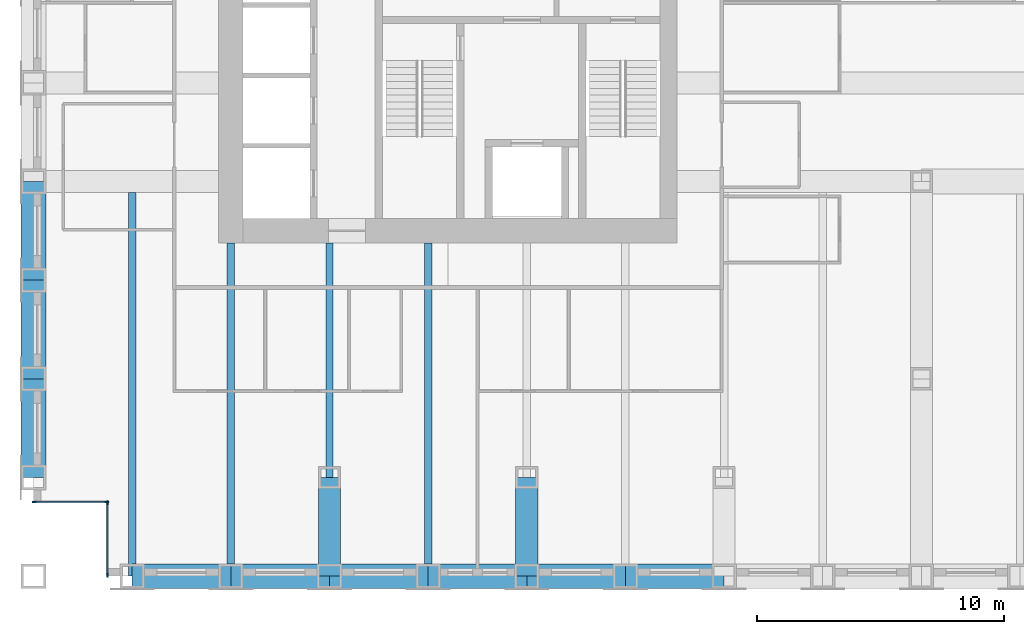
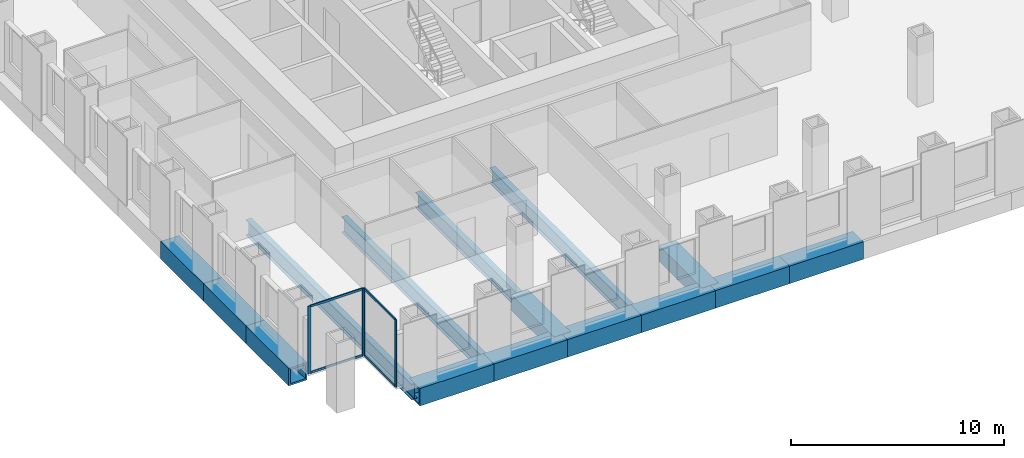
# One storey, part 2 of 16: 15 beams, 8 members, 2 elements without a shape of their own.
"""IFC4 building model written with IfcOpenShell, lengths in metres."""

import ifcopenshell
import ifcopenshell.guid

model = None  # the IFC model being written
_history = None  # IfcOwnerHistory: only IFC2X3 demands one
_inside = {}  # id of a spatial element -> (the spatial element, [elements in it])
_under = {}  # id of a project, library or spatial element -> (it, [spatial elements below it])
_declared = {}  # id of a project -> (the project, [libraries it declares])
_typed = {}  # id of a type object -> (the type object, [elements of that type])
_made_of = {}  # id of a material, layer set ... -> (it, [elements and type objects made of it])


def new_model(schema):
    """Start an empty IFC model of exactly this schema.

    Asked for "IFC4X3", IfcOpenShell would pick the latest addendum, in which some entities
    have other attributes; the version numbers below select the first issue.
    IFC2X3 requires an IfcOwnerHistory on every rooted entity: one is made here for all.
    """
    global model, _history
    if schema == "IFC4X3":
        model = ifcopenshell.file(schema_version=(4, 3, 0, 0))
    else:
        model = ifcopenshell.file(schema=schema)
    _inside.clear()
    _under.clear()
    _declared.clear()
    _typed.clear()
    _made_of.clear()
    _history = None
    if model.schema == "IFC2X3":
        org = make("IfcOrganization", Name="unknown")
        user = make(
            "IfcPersonAndOrganization",
            ThePerson=make("IfcPerson", FamilyName="unknown"),
            TheOrganization=org,
        )
        app = make(
            "IfcApplication",
            ApplicationDeveloper=org,
            Version="unknown",
            ApplicationFullName="unknown",
            ApplicationIdentifier="unknown",
        )
        _history = make(
            "IfcOwnerHistory",
            OwningUser=user,
            OwningApplication=app,
            ChangeAction="ADDED",
            CreationDate=0,
        )
    return model


def make(cls, **values):
    """One entity of the class cls with the attributes given. An attribute that is None is left unset."""
    return model.create_entity(
        cls, **{name: value for name, value in values.items() if value is not None}
    )


def rooted(cls, **values):
    """An entity with a GlobalId (a new one), such as an element, a storey or a relation."""
    return make(cls, GlobalId=ifcopenshell.guid.new(), OwnerHistory=_history, **values)


def si_unit(unit_type, name, prefix=None):
    """IfcSIUnit, for example si_unit("LENGTHUNIT", "METRE", prefix="MILLI")."""
    return make("IfcSIUnit", UnitType=unit_type, Prefix=prefix, Name=name)


def assignment(units):
    """IfcUnitAssignment: the units of a project."""
    return None if units is None else make("IfcUnitAssignment", Units=units)


def point(xyz):
    """IfcCartesianPoint."""
    return None if xyz is None else make("IfcCartesianPoint", Coordinates=xyz)


def direction(xyz):
    """IfcDirection."""
    return None if xyz is None else make("IfcDirection", DirectionRatios=xyz)


def frame(location, z_axis=None, x_axis=None):
    """IfcAxis2Placement3D, a coordinate frame: its origin and axes. An axis left out is left unset."""
    return make(
        "IfcAxis2Placement3D",
        Location=point(location),
        Axis=direction(z_axis),
        RefDirection=direction(x_axis),
    )


def frame_2d(location, x_axis=None):
    """IfcAxis2Placement2D, a coordinate frame in the plane: its origin and x axis."""
    return make(
        "IfcAxis2Placement2D", Location=point(location), RefDirection=direction(x_axis)
    )


def origin():
    """The frame at (0, 0, 0) with its axes left unset."""
    return frame((0.0, 0.0, 0.0))


def origin_2d():
    """The frame at (0, 0) in the plane with its x axis left unset."""
    return frame_2d((0.0, 0.0))


def place(relative_to, where):
    """IfcLocalPlacement: puts the frame where relative to a parent placement (None: the world)."""
    return make(
        "IfcLocalPlacement", PlacementRelTo=relative_to, RelativePlacement=where
    )


def context(
    kind, dimensions, precision=None, world=None, true_north=None, identifier=None
):
    """IfcGeometricRepresentationContext, for example the 3D "Model" context."""
    return make(
        "IfcGeometricRepresentationContext",
        ContextIdentifier=identifier,
        ContextType=kind,
        CoordinateSpaceDimension=dimensions,
        Precision=precision,
        WorldCoordinateSystem=world,
        TrueNorth=true_north,
    )


def subcontext(parent, identifier, kind, view, scale=None):
    """IfcGeometricRepresentationSubContext, for example "Body" below "Model"."""
    return make(
        "IfcGeometricRepresentationSubContext",
        ContextIdentifier=identifier,
        ContextType=kind,
        ParentContext=parent,
        TargetScale=scale,
        TargetView=view,
    )


def project(units=None, contexts=None):
    """IfcProject with its units and contexts."""
    return rooted(
        "IfcProject",
        Name="project",
        RepresentationContexts=contexts,
        UnitsInContext=assignment(units),
    )


def spatial(cls, under=None, at=None, **own):
    """A site, building, storey or space (cls), placed at a placement, below another one or the project."""
    s = rooted(cls, ObjectPlacement=at, **own)
    if under is not None:
        _under.setdefault(under.id(), (under, []))[1].append(s)
    return s


def profile(cls, at=None, kind="AREA", **sizes):
    """A parametric profile (cls). Its sizes go by their IFC names, for example OverallWidth=200.0."""
    return make(cls, ProfileType=kind, Position=at, **sizes)


def rectangle(**sizes):
    """IfcRectangleProfileDef."""
    return profile("IfcRectangleProfileDef", **sizes)


def hollow_rectangle(**sizes):
    """IfcRectangleHollowProfileDef."""
    return profile("IfcRectangleHollowProfileDef", **sizes)


def i_section(**sizes):
    """IfcIShapeProfileDef."""
    return profile("IfcIShapeProfileDef", **sizes)


def extrude(swept, where, along, depth):
    """IfcExtrudedAreaSolid: the profile swept, set in the frame where, extruded along a direction by depth."""
    return make(
        "IfcExtrudedAreaSolid",
        SweptArea=swept,
        Position=where,
        ExtrudedDirection=direction(along),
        Depth=depth,
    )


def shape(context_of_items, identifier, shape_type, items):
    """IfcShapeRepresentation: the items that make up one representation, for example the "Body"."""
    return make(
        "IfcShapeRepresentation",
        ContextOfItems=context_of_items,
        RepresentationIdentifier=identifier,
        RepresentationType=shape_type,
        Items=items,
    )


def material(Name=None, Category=None):
    """IfcMaterial."""
    return make("IfcMaterial", Name=Name, Category=Category)


def material_profile(
    of_material, cross_section, Name=None, Category=None, Priority=None
):
    """IfcMaterialProfile: a cross section and its material."""
    return make(
        "IfcMaterialProfile",
        Name=Name,
        Material=of_material,
        Profile=cross_section,
        Priority=Priority,
        Category=Category,
    )


def profile_set(profiles, Name=None, composite=None):
    """IfcMaterialProfileSet."""
    return make(
        "IfcMaterialProfileSet",
        Name=Name,
        MaterialProfiles=profiles,
        CompositeProfile=composite,
    )


def made_of(thing, what):
    """Note that an element or type object is made of a material, layer set ...; save() writes the relation."""
    if what is not None:
        _made_of.setdefault(what.id(), (what, []))[1].append(thing)
    return thing


def type_object(cls, material=None, **own):
    """A type object (cls), such as IfcWallType, which elements share."""
    return made_of(rooted(cls, **own), material)


def element(
    cls,
    number,
    at=None,
    inside=None,
    cuts=None,
    type_object=None,
    material=None,
    context=None,
    identifier="Body",
    shape_type=None,
    held_by="IfcProductDefinitionShape",
    body=None,
    shapes=None,
    **own,
):
    """One element of the class cls, such as IfcWall. Its Tag is "e" and its number.

    at: its placement. inside: the storey or other place that contains it. cuts: it is an
    opening in that element (IfcRelVoidsElement). A single representation is given by context,
    identifier, shape_type and body (its items); several are given by shapes. held_by: the class
    of the entity that holds the representations. save() writes the other relations.
    """
    e = rooted(cls, Tag="e%d" % number, ObjectPlacement=at, **own)
    if body is not None:
        shapes = [shape(context, identifier, shape_type, body)]
    if shapes is not None:
        e.Representation = make(held_by, Representations=shapes)
    if inside is not None:
        _inside.setdefault(inside.id(), (inside, []))[1].append(e)
    if cuts is not None:
        rooted(
            "IfcRelVoidsElement", RelatingBuildingElement=cuts, RelatedOpeningElement=e
        )
    if type_object is not None:
        _typed.setdefault(type_object.id(), (type_object, []))[1].append(e)
    return made_of(e, material)


def aggregate(whole, parts):
    """IfcRelAggregates: a whole, such as a stair, and the parts it consists of."""
    return rooted("IfcRelAggregates", RelatingObject=whole, RelatedObjects=parts)


def save(model, path):
    """Write the relations noted so far, then the file.

    IfcRelAggregates (storeys below a building ...), IfcRelContainedInSpatialStructure (elements
    in a storey), IfcRelDefinesByType, IfcRelAssociatesMaterial and IfcRelDeclares: one each for
    every whole, place, type object, material and project.
    """
    for whole, parts in _under.values():
        aggregate(whole, parts)
    for where, things in _inside.values():
        rooted(
            "IfcRelContainedInSpatialStructure",
            RelatedElements=things,
            RelatingStructure=where,
        )
    for kind, things in _typed.values():
        rooted("IfcRelDefinesByType", RelatedObjects=things, RelatingType=kind)
    for what, things in _made_of.values():
        rooted("IfcRelAssociatesMaterial", RelatedObjects=things, RelatingMaterial=what)
    for by, libraries in _declared.values():
        rooted("IfcRelDeclares", RelatingContext=by, RelatedDefinitions=libraries)
    model.write(path)


model = new_model("IFC4")

# Units and contexts
model_context = context("Model", 3, precision=1e-05, world=origin(), true_north=direction((0.0, 1.0)))
body_context = subcontext(model_context, "Body", "Model", "MODEL_VIEW")
ifc_project = project(units=[si_unit("LENGTHUNIT", "METRE"), si_unit("AREAUNIT", "SQUARE_METRE"), si_unit("VOLUMEUNIT", "CUBIC_METRE"), si_unit("PLANEANGLEUNIT", "RADIAN"), si_unit("MASSUNIT", "GRAM", prefix="KILO")], contexts=[model_context])

# Site, building, storey
site_placement = place(None, origin())
site = spatial("IfcSite", under=ifc_project, at=site_placement, CompositionType="ELEMENT")
building_placement = place(site_placement, origin())
building = spatial("IfcBuilding", under=site, at=building_placement, Name="Rimbunsela Tower", CompositionType="ELEMENT")
storey_placement = place(building_placement, frame((0.0, 0.0, 129.39990234375)))
storey = spatial("IfcBuildingStorey", under=building, at=storey_placement, Name="L31", CompositionType="ELEMENT", Elevation=129.39990234375)

# Beams
ifc_material_1 = material(Name="Steel BJ 55 (fy 410 MPa)", Category="steel")
ifc_material_profile_1 = material_profile(ifc_material_1, hollow_rectangle(XDim=1.0, YDim=1.0, WallThickness=0.10009765625, at=origin_2d()), Name="BOX 1000x1000x100")
ifc_profile_set_1 = profile_set([ifc_material_profile_1], Name="Steel BJ 55 (fy 410 MPa)")
beam_type_1 = type_object("IfcBeamType", Name="Beam BOX 1000x1000x100", PredefinedType="BEAM", material=ifc_profile_set_1)
for number, where, z_axis, x_axis, name in (
    (1, (10.0, 8.0, -0.64990234375), (0.0, 1.0, 0.0), (-1.0, 0.0, 0.0), "Beam B3 L31"),
    (2, (10.0, 12.0, -0.64990234375), (0.0, 1.0, 0.0), (-1.0, 0.0, 0.0), "Beam B3 L31"),
    (3, (10.0, 16.0, -0.64990234375), (0.0, 1.0, 0.0), (-1.0, 0.0, 0.0), "Beam B3 L31"),
    (4, (14.0, 4.0, -0.64990234375), (1.0, 0.0, 0.0), (0.0, 1.0, 0.0), "Beam B3 L31"),
    (5, (18.0, 4.0, -0.64990234375), (1.0, 0.0, 0.0), (0.0, 1.0, 0.0), "Beam B3 L31"),
    (6, (22.0, 4.0, -0.64990234375), (1.0, 0.0, 0.0), (0.0, 1.0, 0.0), "Beam B3 L31"),
    (7, (26.0, 4.0, -0.64990234375), (1.0, 0.0, 0.0), (0.0, 1.0, 0.0), "Beam B3 L31"),
    (8, (30.0, 4.0, -0.64990234375), (1.0, 0.0, 0.0), (0.0, 1.0, 0.0), "Beam B3 L31"),
    (9, (34.0, 4.0, -0.64990234375), (1.0, 0.0, 0.0), (0.0, 1.0, 0.0), "Beam B3 L31"),
):
    element("IfcBeam", number, at=place(storey_placement, frame(where, z_axis=z_axis, x_axis=x_axis)), inside=storey, type_object=beam_type_1, Name=name, PredefinedType="BEAM", context=body_context, shape_type="SweptSolid", body=[
        extrude(hollow_rectangle(XDim=1.0, YDim=1.0, WallThickness=0.10009765625, at=origin_2d()), origin(), (0.0, 0.0, 1.0), 4.0),
    ])
ifc_material_2 = material(Name="Steel BJ 55 (fy 410 MPa)", Category="steel")
ifc_material_profile_2 = material_profile(ifc_material_2, hollow_rectangle(XDim=0.89990234375, YDim=0.89990234375, WallThickness=0.06005859375, at=origin_2d()), Name="BOX 900x900x60")
ifc_profile_set_2 = profile_set([ifc_material_profile_2], Name="Steel BJ 55 (fy 410 MPa)")
beam_type_2 = type_object("IfcBeamType", Name="Beam BOX 900x900x60", PredefinedType="BEAM", material=ifc_profile_set_2)
for number, where, z_axis, x_axis, name in (
    (10, (22.0, 4.0, -0.599853515625), (0.0, 1.0, 0.0), (-1.0, 0.0, 0.0), "Beam B1 L31"),
    (11, (30.0, 4.0, -0.599853515625), (0.0, 1.0, 0.0), (-1.0, 0.0, 0.0), "Beam B1 L31"),
):
    element("IfcBeam", number, at=place(storey_placement, frame(where, z_axis=z_axis, x_axis=x_axis)), inside=storey, type_object=beam_type_2, Name=name, PredefinedType="BEAM", context=body_context, shape_type="SweptSolid", body=[
        extrude(hollow_rectangle(XDim=0.89990234375, YDim=0.89990234375, WallThickness=0.06005859375, at=origin_2d()), origin(), (0.0, 0.0, 1.0), 4.0),
    ])
ifc_material_3 = material(Name="Steel BJ 55 (fy 410 MPa)", Category="steel")
ifc_material_profile_3 = material_profile(ifc_material_3, i_section(OverallWidth=0.300048828125, OverallDepth=0.89990234375, WebThickness=0.01611328125, FlangeThickness=0.028076171875, FilletRadius=0.028076171875, at=origin_2d()), Name="H 900x300x16x28")
ifc_profile_set_3 = profile_set([ifc_material_profile_3], Name="Steel BJ 55 (fy 410 MPa)")
beam_type_3 = type_object("IfcBeamType", Name="Beam H 900x300x16x28", PredefinedType="BEAM", material=ifc_profile_set_3)
beam_1_placement = place(storey_placement, frame((14.0, 4.0, -0.599853515625), z_axis=(0.0, 1.0, 0.0), x_axis=(-1.0, 0.0, 0.0)))
element("IfcBeam", 12, at=beam_1_placement, inside=storey, type_object=beam_type_3, Name="Beam B2 L31", PredefinedType="BEAM", context=body_context, shape_type="SweptSolid", body=[
    extrude(i_section(OverallWidth=0.300048828125, OverallDepth=0.89990234375, WebThickness=0.01611328125, FlangeThickness=0.028076171875, FilletRadius=0.028076171875, at=origin_2d()), origin(), (0.0, 0.0, 1.0), 15.550048828125),
])
beam_2_placement = place(storey_placement, frame((18.0, 4.0, -0.599853515625), z_axis=(0.0, 1.0, 0.0), x_axis=(-1.0, 0.0, 0.0)))
element("IfcBeam", 13, at=beam_2_placement, inside=storey, type_object=beam_type_3, Name="Beam B2 L31", PredefinedType="BEAM", context=body_context, shape_type="SweptSolid", body=[
    extrude(i_section(OverallWidth=0.300048828125, OverallDepth=0.89990234375, WebThickness=0.01611328125, FlangeThickness=0.028076171875, FilletRadius=0.028076171875, at=origin_2d()), origin(), (0.0, 0.0, 1.0), 13.5),
])
beam_3_placement = place(storey_placement, frame((22.0, 8.0, -0.599853515625), z_axis=(0.0, 1.0, 0.0), x_axis=(-1.0, 0.0, 0.0)))
element("IfcBeam", 14, at=beam_3_placement, inside=storey, type_object=beam_type_3, Name="Beam B2 L31", PredefinedType="BEAM", context=body_context, shape_type="SweptSolid", body=[
    extrude(i_section(OverallWidth=0.300048828125, OverallDepth=0.89990234375, WebThickness=0.01611328125, FlangeThickness=0.028076171875, FilletRadius=0.028076171875, at=origin_2d()), origin(), (0.0, 0.0, 1.0), 9.5),
])
beam_4_placement = place(storey_placement, frame((26.0, 4.0, -0.599853515625), z_axis=(0.0, 1.0, 0.0), x_axis=(-1.0, 0.0, 0.0)))
element("IfcBeam", 15, at=beam_4_placement, inside=storey, type_object=beam_type_3, Name="Beam B2 L31", PredefinedType="BEAM", context=body_context, shape_type="SweptSolid", body=[
    extrude(i_section(OverallWidth=0.300048828125, OverallDepth=0.89990234375, WebThickness=0.01611328125, FlangeThickness=0.028076171875, FilletRadius=0.028076171875, at=origin_2d()), origin(), (0.0, 0.0, 1.0), 13.5),
])

# Curtain wall, members
ifc_material_4 = material(Name="Aluminium curtain wall", Category="aluminium")
curtain_wall_type = type_object("IfcCurtainWallType", Name="Corner glazing", PredefinedType="USERDEFINED", material=ifc_material_4)
curtain_wall_1_placement = place(storey_placement, origin())
curtain_wall_1 = element("IfcCurtainWall", 16, at=curtain_wall_1_placement, inside=storey, type_object=curtain_wall_type, Name="Corner glazing L31", ObjectType="CORNER GLAZING", PredefinedType="USERDEFINED")
ifc_material_5 = material(Name="Aluminium mullion", Category="aluminium")
ifc_material_profile_4 = material_profile(ifc_material_5, rectangle(XDim=0.06005859375, YDim=0.159912109375, at=origin_2d()), Name="Mullion 60x160")
ifc_profile_set_4 = profile_set([ifc_material_profile_4], Name="Aluminium mullion")
member_type_1 = type_object("IfcMemberType", Name="Curtain wall mullion 60x160", PredefinedType="MULLION", material=ifc_profile_set_4)
member_1_placement = place(storey_placement, frame((10.030029296875, 7.0, 0.0), z_axis=(0.0, 0.0, 1.0), x_axis=(0.0, 1.0, 0.0)))
member_1 = element("IfcMember", 17, at=member_1_placement, type_object=member_type_1, Name="CW5 mullion 1", PredefinedType="MULLION", context=body_context, shape_type="SweptSolid", body=[
    extrude(rectangle(XDim=0.06005859375, YDim=0.159912109375, at=origin_2d()), origin(), (0.0, 0.0, 1.0), 3.85009765625),
])
member_2_placement = place(storey_placement, frame((12.969970703125, 7.0, 0.0), z_axis=(0.0, 0.0, 1.0), x_axis=(0.0, 1.0, 0.0)))
member_2 = element("IfcMember", 18, at=member_2_placement, type_object=member_type_1, Name="CW5 mullion 2", PredefinedType="MULLION", context=body_context, shape_type="SweptSolid", body=[
    extrude(rectangle(XDim=0.06005859375, YDim=0.159912109375, at=origin_2d()), origin(), (0.0, 0.0, 1.0), 3.85009765625),
])

curtain_wall_2_placement = place(storey_placement, origin())
curtain_wall_2 = element("IfcCurtainWall", 19, at=curtain_wall_2_placement, inside=storey, type_object=curtain_wall_type, Name="Corner glazing L31", ObjectType="CORNER GLAZING", PredefinedType="USERDEFINED")
member_3_placement = place(storey_placement, frame((13.0, 6.969970703125, 0.0), z_axis=(0.0, 0.0, 1.0), x_axis=(1.0, 0.0, 0.0)))
member_3 = element("IfcMember", 20, at=member_3_placement, type_object=member_type_1, Name="CW5 mullion 1", PredefinedType="MULLION", context=body_context, shape_type="SweptSolid", body=[
    extrude(rectangle(XDim=0.06005859375, YDim=0.159912109375, at=origin_2d()), origin(), (0.0, 0.0, 1.0), 3.85009765625),
])
member_4_placement = place(storey_placement, frame((13.0, 4.030029296875, 0.0), z_axis=(0.0, 0.0, 1.0), x_axis=(1.0, 0.0, 0.0)))
member_4 = element("IfcMember", 21, at=member_4_placement, type_object=member_type_1, Name="CW5 mullion 2", PredefinedType="MULLION", context=body_context, shape_type="SweptSolid", body=[
    extrude(rectangle(XDim=0.06005859375, YDim=0.159912109375, at=origin_2d()), origin(), (0.0, 0.0, 1.0), 3.85009765625),
])

# Member
ifc_material_6 = material(Name="Aluminium transom", Category="aluminium")
ifc_material_profile_5 = material_profile(ifc_material_6, rectangle(XDim=0.06005859375, YDim=0.1201171875, at=origin_2d()), Name="Transom 60x120")
ifc_profile_set_5 = profile_set([ifc_material_profile_5], Name="Aluminium transom")
member_type_2 = type_object("IfcMemberType", Name="Curtain wall transom 60x120", PredefinedType="USERDEFINED", material=ifc_profile_set_5)
member_5_placement = place(storey_placement, frame((10.06005859375, 7.0, 0.030029296875), z_axis=(1.0, 0.0, 0.0), x_axis=(0.0, 1.0, 0.0)))
member_5 = element("IfcMember", 22, at=member_5_placement, type_object=member_type_2, Name="CW5 transom 1.1", ObjectType="TRANSOM", PredefinedType="USERDEFINED", context=body_context, shape_type="SweptSolid", body=[
    extrude(rectangle(XDim=0.06005859375, YDim=0.1201171875, at=origin_2d()), origin(), (0.0, 0.0, 1.0), 2.8798828125),
])

member_6_placement = place(storey_placement, frame((10.06005859375, 7.0, 3.820068359375), z_axis=(1.0, 0.0, 0.0), x_axis=(0.0, 1.0, 0.0)))
member_6 = element("IfcMember", 23, at=member_6_placement, type_object=member_type_2, Name="CW5 transom 1.2", ObjectType="TRANSOM", PredefinedType="USERDEFINED", context=body_context, shape_type="SweptSolid", body=[
    extrude(rectangle(XDim=0.06005859375, YDim=0.1201171875, at=origin_2d()), origin(), (0.0, 0.0, 1.0), 2.8798828125),
])

aggregate(curtain_wall_1, [member_1, member_2, member_5, member_6])

member_7_placement = place(storey_placement, frame((13.0, 6.93994140625, 0.030029296875), z_axis=(0.0, -1.0, 0.0), x_axis=(1.0, 0.0, 0.0)))
member_7 = element("IfcMember", 24, at=member_7_placement, type_object=member_type_2, Name="CW5 transom 1.1", ObjectType="TRANSOM", PredefinedType="USERDEFINED", context=body_context, shape_type="SweptSolid", body=[
    extrude(rectangle(XDim=0.06005859375, YDim=0.1201171875, at=origin_2d()), origin(), (0.0, 0.0, 1.0), 2.8798828125),
])

member_8_placement = place(storey_placement, frame((13.0, 6.93994140625, 3.820068359375), z_axis=(0.0, -1.0, 0.0), x_axis=(1.0, 0.0, 0.0)))
member_8 = element("IfcMember", 25, at=member_8_placement, type_object=member_type_2, Name="CW5 transom 1.2", ObjectType="TRANSOM", PredefinedType="USERDEFINED", context=body_context, shape_type="SweptSolid", body=[
    extrude(rectangle(XDim=0.06005859375, YDim=0.1201171875, at=origin_2d()), origin(), (0.0, 0.0, 1.0), 2.8798828125),
])

aggregate(curtain_wall_2, [member_3, member_4, member_7, member_8])

save(model, "model.ifc")
